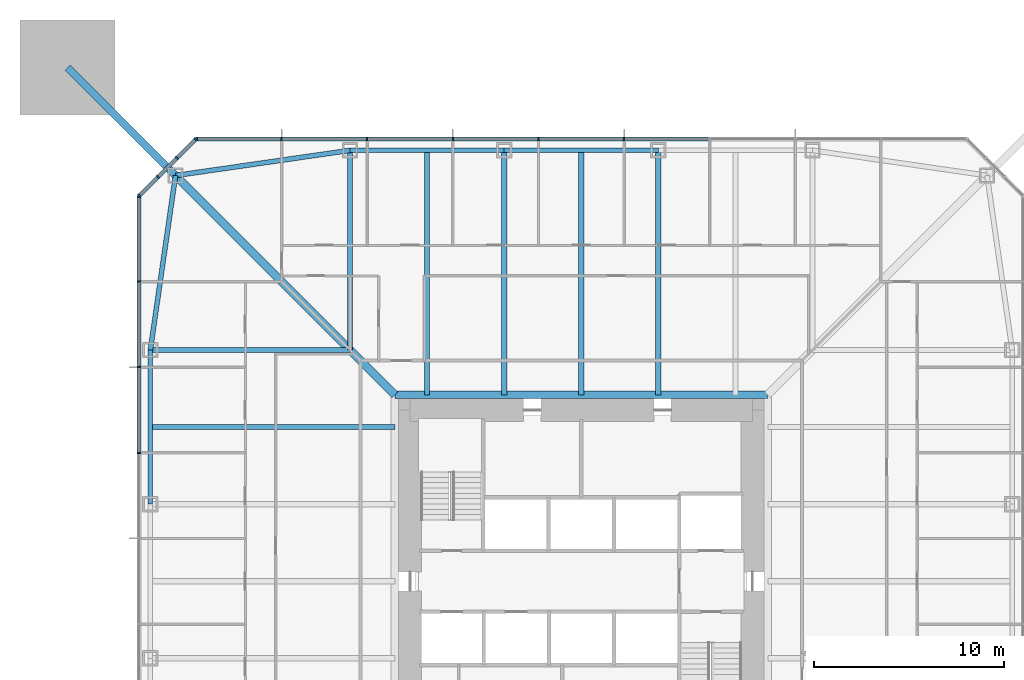
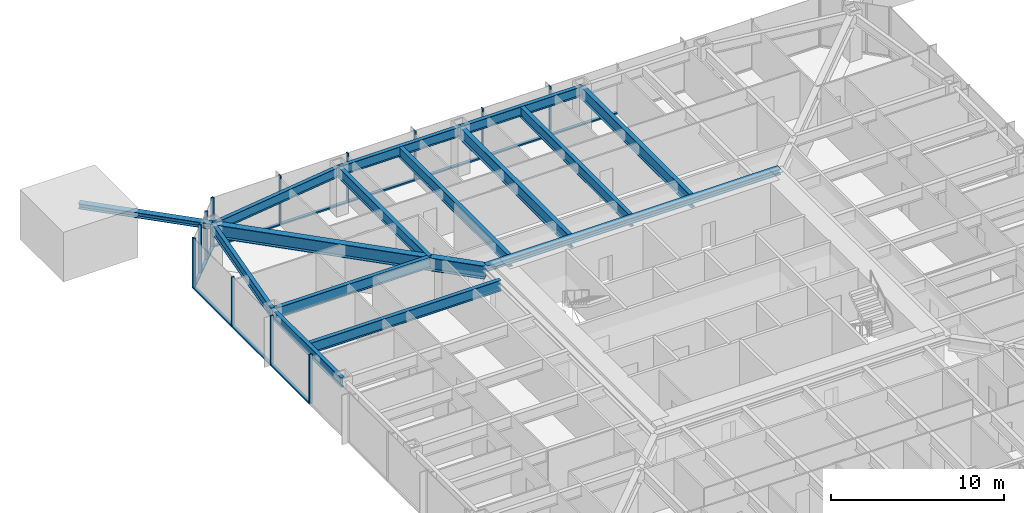
# One storey, part 6 of 26: 27 members, 14 beams, 3 elements without a shape of their own.
"""IFC4 building model written with IfcOpenShell, lengths in metres."""

from ifc_helpers import new_model, si_unit, direction, frame, origin, origin_2d, place, context, subcontext, project, spatial, rectangle, i_section, extrude, material, material_profile, profile_set, type_object, element, aggregate, save


model = new_model("IFC4")

# Units and contexts
model_context = context("Model", 3, precision=1e-05, world=origin(), true_north=direction((0.0, 1.0)))
body_context = subcontext(model_context, "Body", "Model", "MODEL_VIEW")
ifc_project = project(units=[si_unit("LENGTHUNIT", "METRE"), si_unit("AREAUNIT", "SQUARE_METRE"), si_unit("VOLUMEUNIT", "CUBIC_METRE"), si_unit("PLANEANGLEUNIT", "RADIAN"), si_unit("MASSUNIT", "GRAM", prefix="KILO")], contexts=[model_context])

# Site, building, storey
site_placement = place(None, origin())
site = spatial("IfcSite", under=ifc_project, at=site_placement, CompositionType="ELEMENT")
building_placement = place(site_placement, origin())
building = spatial("IfcBuilding", under=site, at=building_placement, Name="Iwan Alto Co-Living Towers", CompositionType="ELEMENT")
storey_placement = place(building_placement, frame((0.0, 0.0, 22.0)))
storey = spatial("IfcBuildingStorey", under=building, at=storey_placement, Name="L05", CompositionType="ELEMENT", Elevation=22.0)

# Curtain wall, members
ifc_material_1 = material(Name="Bronze aluminium unitised frame", Category="aluminium")
curtain_wall_type_1 = type_object("IfcCurtainWallType", Name="CURTAIN WALL CW-A", PredefinedType="NOTDEFINED", material=ifc_material_1)
curtain_wall_1_placement = place(storey_placement, origin())
curtain_wall_1 = element("IfcCurtainWall", 1, at=curtain_wall_1_placement, inside=storey, type_object=curtain_wall_type_1, Name="T1 curtain wall N L05", PredefinedType="NOTDEFINED")
ifc_material_2 = material(Name="Aluminium 6063-T6 bronze anodised", Category="aluminium")
ifc_material_profile_1 = material_profile(ifc_material_2, rectangle(XDim=0.199951171875, YDim=0.080078125, at=origin_2d()), Name="AL 80X200")
ifc_profile_set_1 = profile_set([ifc_material_profile_1], Name="Aluminium 6063-T6 bronze anodised")
member_type_1 = type_object("IfcMemberType", Name="CW-A MULLION 80X200", PredefinedType="MULLION", material=ifc_profile_set_1)
member_1_placement = place(storey_placement, frame((2.25, 23.25, 0.0), z_axis=(0.0, 0.0, 1.0), x_axis=(0.0, -1.0, 0.0)))
member_1 = element("IfcMember", 2, at=member_1_placement, type_object=member_type_1, Name="CW-A mullion 5", PredefinedType="MULLION", context=body_context, shape_type="SweptSolid", body=[
    extrude(rectangle(XDim=0.199951171875, YDim=0.080078125, at=origin_2d()), origin(), (0.0, 0.0, 1.0), 3.5),
])
member_2_placement = place(storey_placement, frame((-2.25, 23.25, 0.0), z_axis=(0.0, 0.0, 1.0), x_axis=(0.0, -1.0, 0.0)))
member_2 = element("IfcMember", 3, at=member_2_placement, type_object=member_type_1, Name="CW-A mullion 6", PredefinedType="MULLION", context=body_context, shape_type="SweptSolid", body=[
    extrude(rectangle(XDim=0.199951171875, YDim=0.080078125, at=origin_2d()), origin(), (0.0, 0.0, 1.0), 3.5),
])
member_3_placement = place(storey_placement, frame((-6.75, 23.25, 0.0), z_axis=(0.0, 0.0, 1.0), x_axis=(0.0, -1.0, 0.0)))
member_3 = element("IfcMember", 4, at=member_3_placement, type_object=member_type_1, Name="CW-A mullion 7", PredefinedType="MULLION", context=body_context, shape_type="SweptSolid", body=[
    extrude(rectangle(XDim=0.199951171875, YDim=0.080078125, at=origin_2d()), origin(), (0.0, 0.0, 1.0), 3.5),
])
member_4_placement = place(storey_placement, frame((-11.25, 23.25, 0.0), z_axis=(0.0, 0.0, 1.0), x_axis=(0.0, -1.0, 0.0)))
member_4 = element("IfcMember", 5, at=member_4_placement, type_object=member_type_1, Name="CW-A mullion 8", PredefinedType="MULLION", context=body_context, shape_type="SweptSolid", body=[
    extrude(rectangle(XDim=0.199951171875, YDim=0.080078125, at=origin_2d()), origin(), (0.0, 0.0, 1.0), 3.5),
])
member_5_placement = place(storey_placement, frame((-15.75, 23.25, 0.0), z_axis=(0.0, 0.0, 1.0), x_axis=(0.0, -1.0, 0.0)))
member_5 = element("IfcMember", 6, at=member_5_placement, type_object=member_type_1, Name="CW-A mullion 9", PredefinedType="MULLION", context=body_context, shape_type="SweptSolid", body=[
    extrude(rectangle(XDim=0.199951171875, YDim=0.080078125, at=origin_2d()), origin(), (0.0, 0.0, 1.0), 3.5),
])
member_6_placement = place(storey_placement, frame((-20.2099609375, 23.25, 0.0), z_axis=(0.0, 0.0, 1.0), x_axis=(0.0, -1.0, 0.0)))
member_6 = element("IfcMember", 7, at=member_6_placement, type_object=member_type_1, Name="CW-A mullion 10", PredefinedType="MULLION", context=body_context, shape_type="SweptSolid", body=[
    extrude(rectangle(XDim=0.199951171875, YDim=0.080078125, at=origin_2d()), origin(), (0.0, 0.0, 1.0), 3.5),
])

curtain_wall_2_placement = place(storey_placement, origin())
curtain_wall_2 = element("IfcCurtainWall", 8, at=curtain_wall_2_placement, inside=storey, type_object=curtain_wall_type_1, Name="T1 curtain wall W L05", PredefinedType="NOTDEFINED")
member_7_placement = place(storey_placement, frame((-23.25, 20.2099609375, 0.0), z_axis=(0.0, 0.0, 1.0), x_axis=(1.0, 0.0, 0.0)))
member_7 = element("IfcMember", 9, at=member_7_placement, type_object=member_type_1, Name="CW-A mullion 1", PredefinedType="MULLION", context=body_context, shape_type="SweptSolid", body=[
    extrude(rectangle(XDim=0.199951171875, YDim=0.080078125, at=origin_2d()), origin(), (0.0, 0.0, 1.0), 3.5),
])
member_8_placement = place(storey_placement, frame((-23.25, 15.75, 0.0), z_axis=(0.0, 0.0, 1.0), x_axis=(1.0, 0.0, 0.0)))
member_8 = element("IfcMember", 10, at=member_8_placement, type_object=member_type_1, Name="CW-A mullion 2", PredefinedType="MULLION", context=body_context, shape_type="SweptSolid", body=[
    extrude(rectangle(XDim=0.199951171875, YDim=0.080078125, at=origin_2d()), origin(), (0.0, 0.0, 1.0), 3.5),
])
member_9_placement = place(storey_placement, frame((-23.25, 11.25, 0.0), z_axis=(0.0, 0.0, 1.0), x_axis=(1.0, 0.0, 0.0)))
member_9 = element("IfcMember", 11, at=member_9_placement, type_object=member_type_1, Name="CW-A mullion 3", PredefinedType="MULLION", context=body_context, shape_type="SweptSolid", body=[
    extrude(rectangle(XDim=0.199951171875, YDim=0.080078125, at=origin_2d()), origin(), (0.0, 0.0, 1.0), 3.5),
])
member_10_placement = place(storey_placement, frame((-23.25, 6.75, 0.0), z_axis=(0.0, 0.0, 1.0), x_axis=(1.0, 0.0, 0.0)))
member_10 = element("IfcMember", 12, at=member_10_placement, type_object=member_type_1, Name="CW-A mullion 4", PredefinedType="MULLION", context=body_context, shape_type="SweptSolid", body=[
    extrude(rectangle(XDim=0.199951171875, YDim=0.080078125, at=origin_2d()), origin(), (0.0, 0.0, 1.0), 3.5),
])

# Member
ifc_material_3 = material(Name="Aluminium 6063-T6 bronze anodised", Category="aluminium")
ifc_material_profile_2 = material_profile(ifc_material_3, rectangle(XDim=0.199951171875, YDim=0.10009765625, at=origin_2d()), Name="AL 200X100")
ifc_profile_set_2 = profile_set([ifc_material_profile_2], Name="Aluminium 6063-T6 bronze anodised")
member_type_2 = type_object("IfcMemberType", Name="CW-A TRANSOM 200X100", PredefinedType="USERDEFINED", material=ifc_profile_set_2)
member_11_placement = place(storey_placement, frame((6.7099609375, 23.25, 0.050048828125), z_axis=(-1.0, 0.0, 0.0), x_axis=(0.0, -1.0, 0.0)))
member_11 = element("IfcMember", 13, at=member_11_placement, type_object=member_type_2, Name="CW-A transom 4.1", ObjectType="TRANSOM", PredefinedType="USERDEFINED", context=body_context, shape_type="SweptSolid", body=[
    extrude(rectangle(XDim=0.199951171875, YDim=0.10009765625, at=origin_2d()), origin(), (0.0, 0.0, 1.0), 4.419921875),
])

member_12_placement = place(storey_placement, frame((2.2099609375, 23.25, 0.050048828125), z_axis=(-1.0, 0.0, 0.0), x_axis=(0.0, -1.0, 0.0)))
member_12 = element("IfcMember", 14, at=member_12_placement, type_object=member_type_2, Name="CW-A transom 5.1", ObjectType="TRANSOM", PredefinedType="USERDEFINED", context=body_context, shape_type="SweptSolid", body=[
    extrude(rectangle(XDim=0.199951171875, YDim=0.10009765625, at=origin_2d()), origin(), (0.0, 0.0, 1.0), 4.419921875),
])

member_13_placement = place(storey_placement, frame((-2.2900390625, 23.25, 0.050048828125), z_axis=(-1.0, 0.0, 0.0), x_axis=(0.0, -1.0, 0.0)))
member_13 = element("IfcMember", 15, at=member_13_placement, type_object=member_type_2, Name="CW-A transom 6.1", ObjectType="TRANSOM", PredefinedType="USERDEFINED", context=body_context, shape_type="SweptSolid", body=[
    extrude(rectangle(XDim=0.199951171875, YDim=0.10009765625, at=origin_2d()), origin(), (0.0, 0.0, 1.0), 4.419921875),
])

member_14_placement = place(storey_placement, frame((-6.7900390625, 23.25, 0.050048828125), z_axis=(-1.0, 0.0, 0.0), x_axis=(0.0, -1.0, 0.0)))
member_14 = element("IfcMember", 16, at=member_14_placement, type_object=member_type_2, Name="CW-A transom 7.1", ObjectType="TRANSOM", PredefinedType="USERDEFINED", context=body_context, shape_type="SweptSolid", body=[
    extrude(rectangle(XDim=0.199951171875, YDim=0.10009765625, at=origin_2d()), origin(), (0.0, 0.0, 1.0), 4.419921875),
])

member_15_placement = place(storey_placement, frame((-11.2900390625, 23.25, 0.050048828125), z_axis=(-1.0, 0.0, 0.0), x_axis=(0.0, -1.0, 0.0)))
member_15 = element("IfcMember", 17, at=member_15_placement, type_object=member_type_2, Name="CW-A transom 8.1", ObjectType="TRANSOM", PredefinedType="USERDEFINED", context=body_context, shape_type="SweptSolid", body=[
    extrude(rectangle(XDim=0.199951171875, YDim=0.10009765625, at=origin_2d()), origin(), (0.0, 0.0, 1.0), 4.419921875),
])

member_16_placement = place(storey_placement, frame((-15.7900390625, 23.25, 0.050048828125), z_axis=(-1.0, 0.0, 0.0), x_axis=(0.0, -1.0, 0.0)))
member_16 = element("IfcMember", 18, at=member_16_placement, type_object=member_type_2, Name="CW-A transom 9.1", ObjectType="TRANSOM", PredefinedType="USERDEFINED", context=body_context, shape_type="SweptSolid", body=[
    extrude(rectangle(XDim=0.199951171875, YDim=0.10009765625, at=origin_2d()), origin(), (0.0, 0.0, 1.0), 4.3798828125),
])

aggregate(curtain_wall_1, [member_1, member_2, member_3, member_4, member_5, member_6, member_11, member_12, member_13, member_14, member_15, member_16])

member_17_placement = place(storey_placement, frame((-23.25, 20.169921875, 0.050048828125), z_axis=(0.0, -1.0, 0.0), x_axis=(1.0, 0.0, 0.0)))
member_17 = element("IfcMember", 19, at=member_17_placement, type_object=member_type_2, Name="CW-A transom 1.1", ObjectType="TRANSOM", PredefinedType="USERDEFINED", context=body_context, shape_type="SweptSolid", body=[
    extrude(rectangle(XDim=0.199951171875, YDim=0.10009765625, at=origin_2d()), origin(), (0.0, 0.0, 1.0), 4.3798828125),
])

member_18_placement = place(storey_placement, frame((-23.25, 15.7099609375, 0.050048828125), z_axis=(0.0, -1.0, 0.0), x_axis=(1.0, 0.0, 0.0)))
member_18 = element("IfcMember", 20, at=member_18_placement, type_object=member_type_2, Name="CW-A transom 2.1", ObjectType="TRANSOM", PredefinedType="USERDEFINED", context=body_context, shape_type="SweptSolid", body=[
    extrude(rectangle(XDim=0.199951171875, YDim=0.10009765625, at=origin_2d()), origin(), (0.0, 0.0, 1.0), 4.419921875),
])

member_19_placement = place(storey_placement, frame((-23.25, 11.2099609375, 0.050048828125), z_axis=(0.0, -1.0, 0.0), x_axis=(1.0, 0.0, 0.0)))
member_19 = element("IfcMember", 21, at=member_19_placement, type_object=member_type_2, Name="CW-A transom 3.1", ObjectType="TRANSOM", PredefinedType="USERDEFINED", context=body_context, shape_type="SweptSolid", body=[
    extrude(rectangle(XDim=0.199951171875, YDim=0.10009765625, at=origin_2d()), origin(), (0.0, 0.0, 1.0), 4.419921875),
])

aggregate(curtain_wall_2, [member_7, member_8, member_9, member_10, member_17, member_18, member_19])

# Curtain wall, members
ifc_material_4 = material(Name="Bronze aluminium unitised frame", Category="aluminium")
curtain_wall_type_2 = type_object("IfcCurtainWallType", Name="CURTAIN WALL CW-B", PredefinedType="NOTDEFINED", material=ifc_material_4)
curtain_wall_3_placement = place(storey_placement, origin())
curtain_wall_3 = element("IfcCurtainWall", 22, at=curtain_wall_3_placement, inside=storey, type_object=curtain_wall_type_2, Name="T1 chamfer curtain wall NW L05", PredefinedType="NOTDEFINED")
ifc_material_5 = material(Name="Aluminium 6063-T6 bronze anodised", Category="aluminium")
ifc_material_profile_3 = material_profile(ifc_material_5, rectangle(XDim=0.199951171875, YDim=0.080078125, at=origin_2d()), Name="AL 80X200")
ifc_profile_set_3 = profile_set([ifc_material_profile_3], Name="Aluminium 6063-T6 bronze anodised")
member_type_3 = type_object("IfcMemberType", Name="CW-B MULLION 80X200", PredefinedType="MULLION", material=ifc_profile_set_3)
member_20_placement = place(storey_placement, frame((-20.2783203125, 23.2216796875, 0.0), z_axis=(0.0, 0.0, 1.0), x_axis=(0.707106781187, -0.707106781187, 0.0)))
member_20 = element("IfcMember", 23, at=member_20_placement, type_object=member_type_3, Name="CW-B mullion 1", PredefinedType="MULLION", context=body_context, shape_type="SweptSolid", body=[
    extrude(rectangle(XDim=0.199951171875, YDim=0.080078125, at=origin_2d()), origin(), (0.0, 0.0, 1.0), 3.5),
])
member_21_placement = place(storey_placement, frame((-21.25, 22.25, 0.0), z_axis=(0.0, 0.0, 1.0), x_axis=(0.707106781187, -0.707106781187, 0.0)))
member_21 = element("IfcMember", 24, at=member_21_placement, type_object=member_type_3, Name="CW-B mullion 2", PredefinedType="MULLION", context=body_context, shape_type="SweptSolid", body=[
    extrude(rectangle(XDim=0.199951171875, YDim=0.080078125, at=origin_2d()), origin(), (0.0, 0.0, 1.0), 3.5),
])
member_22_placement = place(storey_placement, frame((-22.25, 21.25, 0.0), z_axis=(0.0, 0.0, 1.0), x_axis=(0.707106781187, -0.707106781187, 0.0)))
member_22 = element("IfcMember", 25, at=member_22_placement, type_object=member_type_3, Name="CW-B mullion 3", PredefinedType="MULLION", context=body_context, shape_type="SweptSolid", body=[
    extrude(rectangle(XDim=0.199951171875, YDim=0.080078125, at=origin_2d()), origin(), (0.0, 0.0, 1.0), 3.5),
])
member_23_placement = place(storey_placement, frame((-23.2216796875, 20.2783203125, 0.0), z_axis=(0.0, 0.0, 1.0), x_axis=(0.707106781187, -0.707106781187, 0.0)))
member_23 = element("IfcMember", 26, at=member_23_placement, type_object=member_type_3, Name="CW-B mullion 4", PredefinedType="MULLION", context=body_context, shape_type="SweptSolid", body=[
    extrude(rectangle(XDim=0.199951171875, YDim=0.080078125, at=origin_2d()), origin(), (0.0, 0.0, 1.0), 3.5),
])
ifc_material_6 = material(Name="Aluminium 6063-T6 bronze anodised", Category="aluminium")
ifc_material_profile_4 = material_profile(ifc_material_6, rectangle(XDim=0.199951171875, YDim=0.10009765625, at=origin_2d()), Name="AL 200X100")
ifc_profile_set_4 = profile_set([ifc_material_profile_4], Name="Aluminium 6063-T6 bronze anodised")
member_type_4 = type_object("IfcMemberType", Name="CW-B TRANSOM 200X100", PredefinedType="USERDEFINED", material=ifc_profile_set_4)
member_24_placement = place(storey_placement, frame((-20.306640625, 23.193359375, 0.050048828125), z_axis=(-0.707106781187, -0.707106781187, 0.0), x_axis=(0.707106781187, -0.707106781187, 0.0)))
member_24 = element("IfcMember", 27, at=member_24_placement, type_object=member_type_4, Name="CW-B transom 1.1", ObjectType="TRANSOM", PredefinedType="USERDEFINED", context=body_context, shape_type="SweptSolid", body=[
    extrude(rectangle(XDim=0.199951171875, YDim=0.10009765625, at=origin_2d()), origin(), (0.0, 0.0, 1.0), 1.2939453125),
])
member_25_placement = place(storey_placement, frame((-21.2783203125, 22.2216796875, 0.050048828125), z_axis=(-0.707106781187, -0.707106781187, 0.0), x_axis=(0.707106781187, -0.707106781187, 0.0)))
member_25 = element("IfcMember", 28, at=member_25_placement, type_object=member_type_4, Name="CW-B transom 2.1", ObjectType="TRANSOM", PredefinedType="USERDEFINED", context=body_context, shape_type="SweptSolid", body=[
    extrude(rectangle(XDim=0.199951171875, YDim=0.10009765625, at=origin_2d()), origin(), (0.0, 0.0, 1.0), 1.334228515625),
])
member_26_placement = place(storey_placement, frame((-22.2783203125, 21.2216796875, 0.050048828125), z_axis=(-0.707106781187, -0.707106781187, 0.0), x_axis=(0.707106781187, -0.707106781187, 0.0)))
member_26 = element("IfcMember", 29, at=member_26_placement, type_object=member_type_4, Name="CW-B transom 3.1", ObjectType="TRANSOM", PredefinedType="USERDEFINED", context=body_context, shape_type="SweptSolid", body=[
    extrude(rectangle(XDim=0.199951171875, YDim=0.10009765625, at=origin_2d()), origin(), (0.0, 0.0, 1.0), 1.2939453125),
])
aggregate(curtain_wall_3, [member_20, member_21, member_22, member_23, member_24, member_25, member_26])

# Beams
ifc_material_7 = material(Name="Steel ASTM A992 Gr 50", Category="steel")
ifc_material_profile_5 = material_profile(ifc_material_7, i_section(OverallWidth=0.40380859375, OverallDepth=0.406494140625, WebThickness=0.027099609375, FlangeThickness=0.043701171875, at=origin_2d()), Name="W14X233")
ifc_profile_set_5 = profile_set([ifc_material_profile_5], Name="Steel ASTM A992 Gr 50")
beam_type_1 = type_object("IfcBeamType", Name="T1 CORE LEDGER BEAM W14X233", PredefinedType="BEAM", material=ifc_profile_set_5)
beam_1_placement = place(storey_placement, frame((9.802001953125, 9.802001953125, 3.06689453125), z_axis=(-1.0, 0.0, 0.0), x_axis=(0.0, -1.0, 0.0)))
element("IfcBeam", 30, at=beam_1_placement, inside=storey, type_object=beam_type_1, Name="T1 core ledger beam N L06", PredefinedType="BEAM", context=body_context, shape_type="SweptSolid", body=[
    extrude(i_section(OverallWidth=0.40380859375, OverallDepth=0.406494140625, WebThickness=0.027099609375, FlangeThickness=0.043701171875, at=origin_2d()), origin(), (0.0, 0.0, 1.0), 19.60400390625),
])
ifc_material_8 = material(Name="Steel ASTM A992 Gr 50", Category="steel")
ifc_material_profile_6 = material_profile(ifc_material_8, i_section(OverallWidth=0.419189453125, OverallDepth=0.927001953125, WebThickness=0.019287109375, FlangeThickness=0.031982421875, at=origin_2d()), Name="W36X231")
ifc_profile_set_6 = profile_set([ifc_material_profile_6], Name="Steel ASTM A992 Gr 50")
beam_type_2 = type_object("IfcBeamType", Name="T1 CORNER GIRDER W36X231", PredefinedType="BEAM", material=ifc_profile_set_6)
beam_2_placement = place(storey_placement, frame((-21.32568359375, 21.32568359375, 2.806396484375), z_axis=(0.707106781187, -0.707106781187, 0.0), x_axis=(0.707106781187, 0.707106781187, 0.0)))
element("IfcBeam", 31, at=beam_2_placement, inside=storey, type_object=beam_type_2, Name="T1 corner girder CNW L06", PredefinedType="BEAM", context=body_context, shape_type="SweptSolid", body=[
    extrude(i_section(OverallWidth=0.419189453125, OverallDepth=0.927001953125, WebThickness=0.019287109375, FlangeThickness=0.031982421875, at=origin_2d()), origin(), (0.0, 0.0, 1.0), 16.296875),
])
ifc_material_9 = material(Name="Steel ASTM A992 Gr 50", Category="steel")
ifc_material_profile_7 = material_profile(ifc_material_9, i_section(OverallWidth=0.25390625, OverallDepth=0.683349609375, WebThickness=0.012451171875, FlangeThickness=0.018798828125, at=origin_2d()), Name="W27X94")
ifc_profile_set_7 = profile_set([ifc_material_profile_7], Name="Steel ASTM A992 Gr 50")
beam_type_3 = type_object("IfcBeamType", Name="T1 EDGE BEAM W27X94", PredefinedType="BEAM", material=ifc_profile_set_7)
beam_3_placement = place(storey_placement, frame((4.050048828125, 22.64990234375, 2.928466796875), z_axis=(-1.0, 0.0, 0.0), x_axis=(0.0, -1.0, 0.0)))
element("IfcBeam", 32, at=beam_3_placement, inside=storey, type_object=beam_type_3, Name="T1 edge beam N2 L06", PredefinedType="BEAM", context=body_context, shape_type="SweptSolid", body=[
    extrude(i_section(OverallWidth=0.25390625, OverallDepth=0.683349609375, WebThickness=0.012451171875, FlangeThickness=0.018798828125, at=origin_2d()), origin(), (0.0, 0.0, 1.0), 8.10009765625),
])
beam_4_placement = place(storey_placement, frame((-4.050048828125, 22.64990234375, 2.928466796875), z_axis=(-1.0, 0.0, 0.0), x_axis=(0.0, -1.0, 0.0)))
element("IfcBeam", 33, at=beam_4_placement, inside=storey, type_object=beam_type_3, Name="T1 edge beam N3 L06", PredefinedType="BEAM", context=body_context, shape_type="SweptSolid", body=[
    extrude(i_section(OverallWidth=0.25390625, OverallDepth=0.683349609375, WebThickness=0.012451171875, FlangeThickness=0.018798828125, at=origin_2d()), origin(), (0.0, 0.0, 1.0), 8.099853515625),
])
for number, where, z_axis, x_axis, name in (
    (34, (-12.14990234375, 22.64990234375, 2.928466796875), (-0.989746234347, -0.142836940589, 0.0), (0.142836940589, -0.989746234347, 0.0), "T1 edge beam N4 L06"),
    (35, (-21.32568359375, 21.32568359375, 2.928466796875), (-0.142836940589, -0.989746234347, 0.0), (0.989746234347, -0.142836940589, 0.0), "T1 edge beam CNW L06"),
):
    element("IfcBeam", number, at=place(storey_placement, frame(where, z_axis=z_axis, x_axis=x_axis)), inside=storey, type_object=beam_type_3, Name=name, PredefinedType="BEAM", context=body_context, shape_type="SweptSolid", body=[
        extrude(i_section(OverallWidth=0.25390625, OverallDepth=0.683349609375, WebThickness=0.012451171875, FlangeThickness=0.018798828125, at=origin_2d()), origin(), (0.0, 0.0, 1.0), 9.270751953125),
    ])
beam_5_placement = place(storey_placement, frame((-22.64990234375, 12.14990234375, 2.928466796875), z_axis=(0.0, -1.0, 0.0), x_axis=(1.0, 0.0, 0.0)))
element("IfcBeam", 36, at=beam_5_placement, inside=storey, type_object=beam_type_3, Name="T1 edge beam W1 L06", PredefinedType="BEAM", context=body_context, shape_type="SweptSolid", body=[
    extrude(i_section(OverallWidth=0.25390625, OverallDepth=0.683349609375, WebThickness=0.012451171875, FlangeThickness=0.018798828125, at=origin_2d()), origin(), (0.0, 0.0, 1.0), 8.099853515625),
])

# Member
ifc_material_10 = material(Name="Steel ASTM A992 Gr 50", Category="steel")
ifc_material_profile_8 = material_profile(ifc_material_10, i_section(OverallWidth=0.393798828125, OverallDepth=0.3759765625, WebThickness=0.017333984375, FlangeThickness=0.027587890625, at=origin_2d()), Name="W14X145")
ifc_profile_set_8 = profile_set([ifc_material_profile_8], Name="Steel ASTM A992 Gr 50")
member_type_5 = type_object("IfcMemberType", Name="T1 MEGA COLUMN FLOOR TIE W14X145", PredefinedType="STRUT", material=ifc_profile_set_8)
member_27_placement = place(storey_placement, frame((-27.0, 27.0, 3.08203125), z_axis=(0.707106781187, -0.707106781187, 0.0), x_axis=(0.707106781187, 0.707106781187, 0.0)))
element("IfcMember", 37, at=member_27_placement, inside=storey, type_object=member_type_5, Name="T1 mega column floor tie NW L06", PredefinedType="STRUT", context=body_context, shape_type="SweptSolid", body=[
    extrude(i_section(OverallWidth=0.393798828125, OverallDepth=0.3759765625, WebThickness=0.017333984375, FlangeThickness=0.027587890625, at=origin_2d()), origin(), (0.0, 0.0, 1.0), 8.024658203125),
])

# Beams
ifc_material_11 = material(Name="Steel ASTM A992 Gr 50", Category="steel")
ifc_material_profile_9 = material_profile(ifc_material_11, i_section(OverallWidth=0.2666015625, OverallDepth=0.761962890625, WebThickness=0.014404296875, FlangeThickness=0.021484375, at=origin_2d()), Name="W30X116")
ifc_profile_set_9 = profile_set([ifc_material_profile_9], Name="Steel ASTM A992 Gr 50")
beam_type_4 = type_object("IfcBeamType", Name="T1 RADIAL BEAM W30X116", PredefinedType="BEAM", material=ifc_profile_set_9)
for number, where, z_axis, x_axis, name in (
    (38, (-12.14990234375, 22.64990234375, 2.888916015625), (0.0, -1.0, 0.0), (1.0, 0.0, 0.0), "T1 radial beam N4 L06"),
    (39, (-22.64990234375, 12.14990234375, 2.888916015625), (1.0, 0.0, 0.0), (0.0, 1.0, 0.0), "T1 radial beam W1 L06"),
):
    element("IfcBeam", number, at=place(storey_placement, frame(where, z_axis=z_axis, x_axis=x_axis)), inside=storey, type_object=beam_type_4, Name=name, PredefinedType="BEAM", context=body_context, shape_type="SweptSolid", body=[
        extrude(i_section(OverallWidth=0.2666015625, OverallDepth=0.761962890625, WebThickness=0.014404296875, FlangeThickness=0.021484375, at=origin_2d()), origin(), (0.0, 0.0, 1.0), 10.5),
    ])
ifc_material_12 = material(Name="Steel ASTM A992 Gr 50", Category="steel")
ifc_material_profile_10 = material_profile(ifc_material_12, i_section(OverallWidth=0.2919921875, OverallDepth=0.8408203125, WebThickness=0.0146484375, FlangeThickness=0.021728515625, at=origin_2d()), Name="W33X130")
ifc_profile_set_10 = profile_set([ifc_material_profile_10], Name="Steel ASTM A992 Gr 50")
beam_type_5 = type_object("IfcBeamType", Name="T1 RADIAL BEAM W33X130", PredefinedType="BEAM", material=ifc_profile_set_10)
for number, where, z_axis, x_axis, name in (
    (40, (4.050048828125, 22.64990234375, 2.849609375), (0.0, -1.0, 0.0), (1.0, 0.0, 0.0), "T1 radial beam N2 L06"),
    (41, (-4.050048828125, 22.64990234375, 2.849609375), (0.0, -1.0, 0.0), (1.0, 0.0, 0.0), "T1 radial beam N3 L06"),
):
    element("IfcBeam", number, at=place(storey_placement, frame(where, z_axis=z_axis, x_axis=x_axis)), inside=storey, type_object=beam_type_5, Name=name, PredefinedType="BEAM", context=body_context, shape_type="SweptSolid", body=[
        extrude(i_section(OverallWidth=0.2919921875, OverallDepth=0.8408203125, WebThickness=0.0146484375, FlangeThickness=0.021728515625, at=origin_2d()), origin(), (0.0, 0.0, 1.0), 12.847900390625),
    ])
ifc_material_13 = material(Name="Steel ASTM A992 Gr 50", Category="steel")
ifc_material_profile_11 = material_profile(ifc_material_13, i_section(OverallWidth=0.2666015625, OverallDepth=0.761962890625, WebThickness=0.014404296875, FlangeThickness=0.021484375, at=origin_2d()), Name="W30X116")
ifc_profile_set_11 = profile_set([ifc_material_profile_11], Name="Steel ASTM A992 Gr 50")
beam_type_6 = type_object("IfcBeamType", Name="T1 SECONDARY BEAM W30X116", PredefinedType="JOIST", material=ifc_profile_set_11)
for number, where, z_axis, x_axis, name in (
    (42, (0.0, 22.64990234375, 2.888916015625), (0.0, -1.0, 0.0), (1.0, 0.0, 0.0), "T1 secondary beam N2 L06"),
    (43, (-8.10009765625, 22.64990234375, 2.888916015625), (0.0, -1.0, 0.0), (1.0, 0.0, 0.0), "T1 secondary beam N3 L06"),
    (44, (-22.64990234375, 8.10009765625, 2.888916015625), (1.0, 0.0, 0.0), (0.0, 1.0, 0.0), "T1 secondary beam W1 L06"),
):
    element("IfcBeam", number, at=place(storey_placement, frame(where, z_axis=z_axis, x_axis=x_axis)), inside=storey, type_object=beam_type_6, Name=name, PredefinedType="JOIST", context=body_context, shape_type="SweptSolid", body=[
        extrude(i_section(OverallWidth=0.2666015625, OverallDepth=0.761962890625, WebThickness=0.014404296875, FlangeThickness=0.021484375, at=origin_2d()), origin(), (0.0, 0.0, 1.0), 12.847900390625),
    ])

save(model, "model.ifc")
